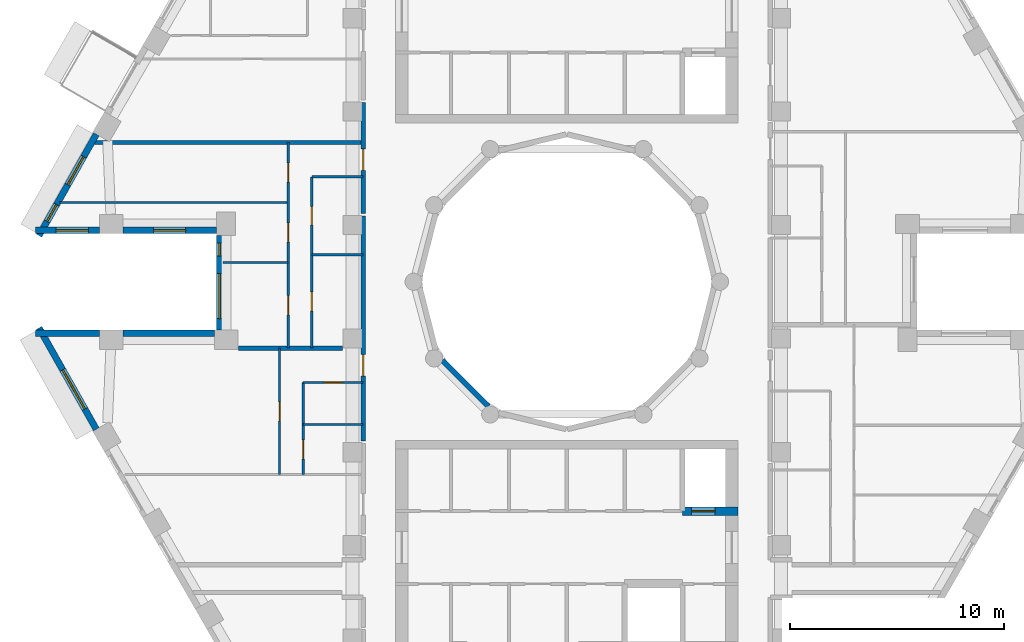
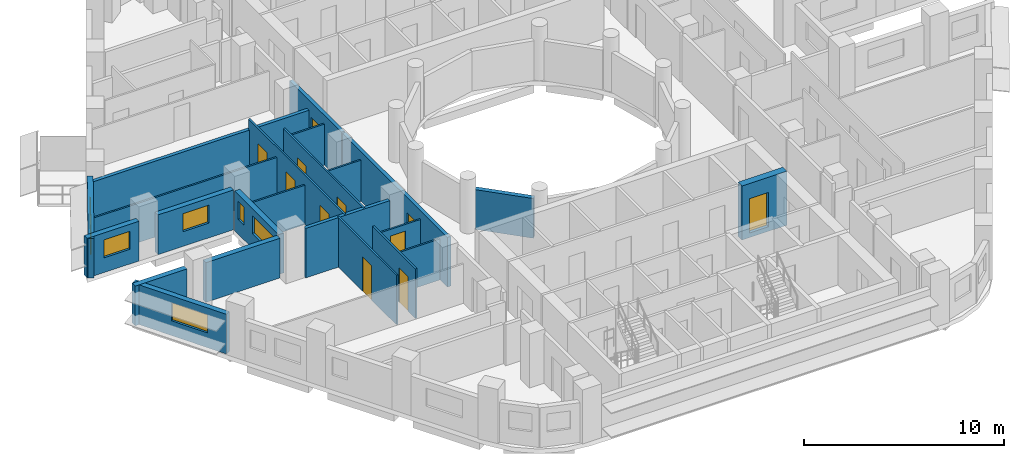
# One storey, part 4 of 13: 23 walls, 11 doors, 7 windows, 18 openings.
"""IFC4 building model written with IfcOpenShell, lengths in metres."""

import ifcopenshell
import ifcopenshell.guid

model = None  # the IFC model being written
_history = None  # IfcOwnerHistory: only IFC2X3 demands one
_inside = {}  # id of a spatial element -> (the spatial element, [elements in it])
_under = {}  # id of a project, library or spatial element -> (it, [spatial elements below it])
_declared = {}  # id of a project -> (the project, [libraries it declares])
_typed = {}  # id of a type object -> (the type object, [elements of that type])
_made_of = {}  # id of a material, layer set ... -> (it, [elements and type objects made of it])


def new_model(schema):
    """Start an empty IFC model of exactly this schema.

    Asked for "IFC4X3", IfcOpenShell would pick the latest addendum, in which some entities
    have other attributes; the version numbers below select the first issue.
    IFC2X3 requires an IfcOwnerHistory on every rooted entity: one is made here for all.
    """
    global model, _history
    if schema == "IFC4X3":
        model = ifcopenshell.file(schema_version=(4, 3, 0, 0))
    else:
        model = ifcopenshell.file(schema=schema)
    _inside.clear()
    _under.clear()
    _declared.clear()
    _typed.clear()
    _made_of.clear()
    _history = None
    if model.schema == "IFC2X3":
        org = make("IfcOrganization", Name="unknown")
        user = make(
            "IfcPersonAndOrganization",
            ThePerson=make("IfcPerson", FamilyName="unknown"),
            TheOrganization=org,
        )
        app = make(
            "IfcApplication",
            ApplicationDeveloper=org,
            Version="unknown",
            ApplicationFullName="unknown",
            ApplicationIdentifier="unknown",
        )
        _history = make(
            "IfcOwnerHistory",
            OwningUser=user,
            OwningApplication=app,
            ChangeAction="ADDED",
            CreationDate=0,
        )
    return model


def make(cls, **values):
    """One entity of the class cls with the attributes given. An attribute that is None is left unset."""
    return model.create_entity(
        cls, **{name: value for name, value in values.items() if value is not None}
    )


def rooted(cls, **values):
    """An entity with a GlobalId (a new one), such as an element, a storey or a relation."""
    return make(cls, GlobalId=ifcopenshell.guid.new(), OwnerHistory=_history, **values)


def si_unit(unit_type, name, prefix=None):
    """IfcSIUnit, for example si_unit("LENGTHUNIT", "METRE", prefix="MILLI")."""
    return make("IfcSIUnit", UnitType=unit_type, Prefix=prefix, Name=name)


def assignment(units):
    """IfcUnitAssignment: the units of a project."""
    return None if units is None else make("IfcUnitAssignment", Units=units)


def point(xyz):
    """IfcCartesianPoint."""
    return None if xyz is None else make("IfcCartesianPoint", Coordinates=xyz)


def direction(xyz):
    """IfcDirection."""
    return None if xyz is None else make("IfcDirection", DirectionRatios=xyz)


def frame(location, z_axis=None, x_axis=None):
    """IfcAxis2Placement3D, a coordinate frame: its origin and axes. An axis left out is left unset."""
    return make(
        "IfcAxis2Placement3D",
        Location=point(location),
        Axis=direction(z_axis),
        RefDirection=direction(x_axis),
    )


def frame_2d(location, x_axis=None):
    """IfcAxis2Placement2D, a coordinate frame in the plane: its origin and x axis."""
    return make(
        "IfcAxis2Placement2D", Location=point(location), RefDirection=direction(x_axis)
    )


def origin():
    """The frame at (0, 0, 0) with its axes left unset."""
    return frame((0.0, 0.0, 0.0))


def place(relative_to, where):
    """IfcLocalPlacement: puts the frame where relative to a parent placement (None: the world)."""
    return make(
        "IfcLocalPlacement", PlacementRelTo=relative_to, RelativePlacement=where
    )


def context(
    kind, dimensions, precision=None, world=None, true_north=None, identifier=None
):
    """IfcGeometricRepresentationContext, for example the 3D "Model" context."""
    return make(
        "IfcGeometricRepresentationContext",
        ContextIdentifier=identifier,
        ContextType=kind,
        CoordinateSpaceDimension=dimensions,
        Precision=precision,
        WorldCoordinateSystem=world,
        TrueNorth=true_north,
    )


def subcontext(parent, identifier, kind, view, scale=None):
    """IfcGeometricRepresentationSubContext, for example "Body" below "Model"."""
    return make(
        "IfcGeometricRepresentationSubContext",
        ContextIdentifier=identifier,
        ContextType=kind,
        ParentContext=parent,
        TargetScale=scale,
        TargetView=view,
    )


def project(units=None, contexts=None):
    """IfcProject with its units and contexts."""
    return rooted(
        "IfcProject",
        Name="project",
        RepresentationContexts=contexts,
        UnitsInContext=assignment(units),
    )


def spatial(cls, under=None, at=None, **own):
    """A site, building, storey or space (cls), placed at a placement, below another one or the project."""
    s = rooted(cls, ObjectPlacement=at, **own)
    if under is not None:
        _under.setdefault(under.id(), (under, []))[1].append(s)
    return s


def profile(cls, at=None, kind="AREA", **sizes):
    """A parametric profile (cls). Its sizes go by their IFC names, for example OverallWidth=200.0."""
    return make(cls, ProfileType=kind, Position=at, **sizes)


def rectangle(**sizes):
    """IfcRectangleProfileDef."""
    return profile("IfcRectangleProfileDef", **sizes)


def extrude(swept, where, along, depth):
    """IfcExtrudedAreaSolid: the profile swept, set in the frame where, extruded along a direction by depth."""
    return make(
        "IfcExtrudedAreaSolid",
        SweptArea=swept,
        Position=where,
        ExtrudedDirection=direction(along),
        Depth=depth,
    )


def shape(context_of_items, identifier, shape_type, items):
    """IfcShapeRepresentation: the items that make up one representation, for example the "Body"."""
    return make(
        "IfcShapeRepresentation",
        ContextOfItems=context_of_items,
        RepresentationIdentifier=identifier,
        RepresentationType=shape_type,
        Items=items,
    )


def material(Name=None, Category=None):
    """IfcMaterial."""
    return make("IfcMaterial", Name=Name, Category=Category)


def layer(
    of_material, thickness, ventilated=None, Name=None, Category=None, Priority=None
):
    """IfcMaterialLayer: one layer of a wall or slab, of a material (None: an air gap)."""
    return make(
        "IfcMaterialLayer",
        Material=of_material,
        LayerThickness=thickness,
        IsVentilated=ventilated,
        Name=Name,
        Category=Category,
        Priority=Priority,
    )


def layer_set(layers, Name=None):
    """IfcMaterialLayerSet."""
    return make("IfcMaterialLayerSet", MaterialLayers=layers, LayerSetName=Name)


def made_of(thing, what):
    """Note that an element or type object is made of a material, layer set ...; save() writes the relation."""
    if what is not None:
        _made_of.setdefault(what.id(), (what, []))[1].append(thing)
    return thing


def type_object(cls, material=None, **own):
    """A type object (cls), such as IfcWallType, which elements share."""
    return made_of(rooted(cls, **own), material)


def element(
    cls,
    number,
    at=None,
    inside=None,
    cuts=None,
    type_object=None,
    material=None,
    context=None,
    identifier="Body",
    shape_type=None,
    held_by="IfcProductDefinitionShape",
    body=None,
    shapes=None,
    **own,
):
    """One element of the class cls, such as IfcWall. Its Tag is "e" and its number.

    at: its placement. inside: the storey or other place that contains it. cuts: it is an
    opening in that element (IfcRelVoidsElement). A single representation is given by context,
    identifier, shape_type and body (its items); several are given by shapes. held_by: the class
    of the entity that holds the representations. save() writes the other relations.
    """
    e = rooted(cls, Tag="e%d" % number, ObjectPlacement=at, **own)
    if body is not None:
        shapes = [shape(context, identifier, shape_type, body)]
    if shapes is not None:
        e.Representation = make(held_by, Representations=shapes)
    if inside is not None:
        _inside.setdefault(inside.id(), (inside, []))[1].append(e)
    if cuts is not None:
        rooted(
            "IfcRelVoidsElement", RelatingBuildingElement=cuts, RelatedOpeningElement=e
        )
    if type_object is not None:
        _typed.setdefault(type_object.id(), (type_object, []))[1].append(e)
    return made_of(e, material)


def fill(opening, filler):
    """IfcRelFillsElement: the door or window that sits in an opening."""
    return rooted(
        "IfcRelFillsElement",
        RelatingOpeningElement=opening,
        RelatedBuildingElement=filler,
    )


def aggregate(whole, parts):
    """IfcRelAggregates: a whole, such as a stair, and the parts it consists of."""
    return rooted("IfcRelAggregates", RelatingObject=whole, RelatedObjects=parts)


def save(model, path):
    """Write the relations noted so far, then the file.

    IfcRelAggregates (storeys below a building ...), IfcRelContainedInSpatialStructure (elements
    in a storey), IfcRelDefinesByType, IfcRelAssociatesMaterial and IfcRelDeclares: one each for
    every whole, place, type object, material and project.
    """
    for whole, parts in _under.values():
        aggregate(whole, parts)
    for where, things in _inside.values():
        rooted(
            "IfcRelContainedInSpatialStructure",
            RelatedElements=things,
            RelatingStructure=where,
        )
    for kind, things in _typed.values():
        rooted("IfcRelDefinesByType", RelatedObjects=things, RelatingType=kind)
    for what, things in _made_of.values():
        rooted("IfcRelAssociatesMaterial", RelatedObjects=things, RelatingMaterial=what)
    for by, libraries in _declared.values():
        rooted("IfcRelDeclares", RelatingContext=by, RelatedDefinitions=libraries)
    model.write(path)


model = new_model("IFC4")

# Units and contexts
model_context = context("Model", 3, precision=1e-05, world=origin(), true_north=direction((0.0, 1.0)))
body_context = subcontext(model_context, "Body", "Model", "MODEL_VIEW")
ifc_project = project(units=[si_unit("LENGTHUNIT", "METRE"), si_unit("AREAUNIT", "SQUARE_METRE"), si_unit("VOLUMEUNIT", "CUBIC_METRE"), si_unit("PLANEANGLEUNIT", "RADIAN"), si_unit("MASSUNIT", "GRAM", prefix="KILO")], contexts=[model_context])

# Site, building, storey
site_placement = place(None, origin())
site = spatial("IfcSite", under=ifc_project, at=site_placement, CompositionType="ELEMENT")
building_placement = place(site_placement, origin())
building = spatial("IfcBuilding", under=site, at=building_placement, Name="Nakaniwa Court", CompositionType="ELEMENT")
storey_placement = place(building_placement, frame((0.0, 0.0, 246.0)))
storey = spatial("IfcBuildingStorey", under=building, at=storey_placement, Name="L64", CompositionType="ELEMENT", Elevation=246.0)

# Wall, opening, door
ifc_material_1 = material(Name="Acoustic double stud partition")
ifc_layer_1 = layer(ifc_material_1, 0.199951171875)
ifc_layer_set_1 = layer_set([ifc_layer_1], Name="Acoustic double stud partition")
wall_type_1 = type_object("IfcWallType", Name="Acoustic double stud partition 200", PredefinedType="PARTITIONING", material=ifc_layer_set_1)
wall_1_placement = place(storey_placement, frame((70.5, 72.576904296875, 0.0), z_axis=(0.0, 0.0, 1.0), x_axis=(0.0, 1.0, 0.0)))
wall_1 = element("IfcWall", 1, at=wall_1_placement, inside=storey, type_object=wall_type_1, Name="Partition PW-094", PredefinedType="PARTITIONING", context=body_context, shape_type="SweptSolid", body=[
    extrude(rectangle(XDim=10.486083984375, YDim=0.199951171875, at=frame_2d((5.2431640625, 0.0))), origin(), (0.0, 0.0, 1.0), 3.02490234375),
])
opening_1_placement = place(wall_1_placement, frame((3.02294921875, 0.0, 0.0)))
opening_1 = element("IfcOpeningElement", 2, at=opening_1_placement, cuts=wall_1, Name="Opening D-01-03", PredefinedType="OPENING", context=body_context, shape_type="SweptSolid", body=[
    extrude(rectangle(XDim=1.0, YDim=2.10009765625, at=frame_2d((0.5, 1.050048828125))), frame((0.0, 0.10986328125, 0.0), z_axis=(0.0, -1.0, 0.0), x_axis=(1.0, 0.0, 0.0)), (0.0, 0.0, 1.0), 0.219970703125),
])
ifc_material_2 = material(Name="Solid core timber door set, black veneer", Category="wood")
door_type_1 = type_object("IfcDoorType", Name="Flat entrance door 1000", OperationType="NOTDEFINED", PredefinedType="DOOR", material=ifc_material_2)
door_1_placement = place(opening_1_placement, origin())
door_1 = element("IfcDoor", 3, at=door_1_placement, inside=storey, type_object=door_type_1, Name="Door D-01-03 L64-045", OperationType="SINGLE_SWING_RIGHT", OverallHeight=2.10009765625, OverallWidth=1.0, PredefinedType="DOOR", context=body_context, shape_type="SweptSolid", body=[
    extrude(rectangle(XDim=1.0, YDim=2.10009765625, at=frame_2d((0.5, 1.050048828125))), frame((0.0, 0.02490234375, 0.0), z_axis=(0.0, -1.0, 0.0), x_axis=(1.0, 0.0, 0.0)), (0.0, 0.0, 1.0), 0.050048828125),
])
fill(opening_1, door_1)

wall_2_placement = place(storey_placement, frame((70.5, 83.177001953125, 0.0), z_axis=(0.0, 0.0, 1.0), x_axis=(0.0, 1.0, 0.0)))
wall_2 = element("IfcWall", 4, at=wall_2_placement, inside=storey, type_object=wall_type_1, Name="Partition PW-095", PredefinedType="PARTITIONING", context=body_context, shape_type="SweptSolid", body=[
    extrude(rectangle(XDim=5.18603515625, YDim=0.199951171875, at=frame_2d((2.593017578125, 0.0))), origin(), (0.0, 0.0, 1.0), 3.02490234375),
])
opening_2_placement = place(wall_2_placement, frame((2.02294921875, 0.0, 0.0)))
opening_2 = element("IfcOpeningElement", 5, at=opening_2_placement, cuts=wall_2, Name="Opening D-01-04", PredefinedType="OPENING", context=body_context, shape_type="SweptSolid", body=[
    extrude(rectangle(XDim=1.0, YDim=2.10009765625, at=frame_2d((0.5, 1.050048828125))), frame((0.0, 0.10986328125, 0.0), z_axis=(0.0, -1.0, 0.0), x_axis=(1.0, 0.0, 0.0)), (0.0, 0.0, 1.0), 0.219970703125),
])
door_2_placement = place(opening_2_placement, origin())
door_2 = element("IfcDoor", 6, at=door_2_placement, inside=storey, type_object=door_type_1, Name="Door D-01-04 L64-049", OperationType="SINGLE_SWING_RIGHT", OverallHeight=2.10009765625, OverallWidth=1.0, PredefinedType="DOOR", context=body_context, shape_type="SweptSolid", body=[
    extrude(rectangle(XDim=1.0, YDim=2.10009765625, at=frame_2d((0.5, 1.050048828125))), frame((0.0, 0.02490234375, 0.0), z_axis=(0.0, -1.0, 0.0), x_axis=(1.0, 0.0, 0.0)), (0.0, 0.0, 1.0), 0.050048828125),
])
fill(opening_2, door_2)

# Walls
wall_3_placement = place(storey_placement, frame((64.67041015625, 76.89990234375, 0.0), z_axis=(0.0, 0.0, 1.0), x_axis=(1.0, 0.0, 0.0)))
element("IfcWall", 7, at=wall_3_placement, inside=storey, type_object=wall_type_1, Name="Partition PW-118", PredefinedType="PARTITIONING", context=body_context, shape_type="SweptSolid", body=[
    extrude(rectangle(XDim=4.859619140625, YDim=0.199951171875, at=frame_2d((2.4296875, 0.0))), origin(), (0.0, 0.0, 1.0), 3.02490234375),
])
wall_4_placement = place(storey_placement, frame((57.9453125, 86.5, 0.0), z_axis=(0.0, 0.0, 1.0), x_axis=(1.0, 0.0, 0.0)))
element("IfcWall", 8, at=wall_4_placement, inside=storey, type_object=wall_type_1, Name="Partition PW-123", PredefinedType="PARTITIONING", context=body_context, shape_type="SweptSolid", body=[
    extrude(rectangle(XDim=12.5546875, YDim=0.199951171875, at=frame_2d((6.27734375, 0.0))), origin(), (0.0, 0.0, 1.0), 2.405029296875),
])

# Wall, openings, windows
ifc_material_3 = material(Name="Charcoal ceramic cladding")
ifc_layer_2 = layer(ifc_material_3, 0.02, Name="Ceramic cladding")
ifc_material_4 = material(Name="Ventilated air cavity")
ifc_layer_3 = layer(ifc_material_4, 0.04, ventilated=True, Name="Ventilated cavity")
ifc_material_5 = material(Name="Mineral wool insulation")
ifc_layer_4 = layer(ifc_material_5, 0.1, Name="Insulation")
ifc_material_6 = material(Name="Cement bonded sheathing board")
ifc_layer_5 = layer(ifc_material_6, 0.012, Name="Sheathing")
ifc_material_7 = material(Name="Cold-formed galvanised stud frame with mineral wool infill")
ifc_layer_6 = layer(ifc_material_7, 0.1, Name="Stud frame")
ifc_material_8 = material(Name="Fire-rated gypsum plasterboard lining")
ifc_layer_7 = layer(ifc_material_8, 0.028, Name="Lining")
ifc_layer_set_2 = layer_set([ifc_layer_2, ifc_layer_3, ifc_layer_4, ifc_layer_5, ifc_layer_6, ifc_layer_7], Name="Charcoal ceramic faced external wall system")
wall_type_2 = type_object("IfcWallType", Name="Black ceramic faced external wall 300", PredefinedType="SOLIDWALL", material=ifc_layer_set_2)
wall_5_placement = place(storey_placement, frame((58.048095703125, 86.886474609375, 0.0), z_axis=(0.0, 0.0, 1.0), x_axis=(-0.492080931903, -0.870549456641, 0.0)))
wall_5 = element("IfcWall", 9, at=wall_5_placement, inside=storey, type_object=wall_type_2, Name="L64 external wall 14", PredefinedType="SOLIDWALL", context=body_context, shape_type="SweptSolid", body=[
    extrude(rectangle(XDim=5.436767578125, YDim=0.300048828125, at=frame_2d((2.71826171875, 0.0))), origin(), (0.0, 0.0, 1.0), 2.425048828125),
])
opening_3_placement = place(wall_5_placement, frame((1.2060546875, 0.0, 0.89990234375)))
opening_3 = element("IfcOpeningElement", 10, at=opening_3_placement, cuts=wall_5, Name="Opening W5.13", PredefinedType="OPENING", context=body_context, shape_type="SweptSolid", body=[
    extrude(rectangle(XDim=1.5, YDim=1.10009765625, at=frame_2d((0.75, 0.550048828125))), frame((0.0, 0.159912109375, 0.0), z_axis=(0.0, -1.0, 0.0), x_axis=(1.0, 0.0, 0.0)), (0.0, 0.0, 1.0), 0.320068359375),
])
opening_4_placement = place(wall_5_placement, frame((3.774658203125, 0.0, 0.89990234375)))
opening_4 = element("IfcOpeningElement", 11, at=opening_4_placement, cuts=wall_5, Name="Opening W9.14", PredefinedType="OPENING", context=body_context, shape_type="SweptSolid", body=[
    extrude(rectangle(XDim=0.89990234375, YDim=1.10009765625, at=frame_2d((0.449951171875, 0.550048828125))), frame((0.0, 0.159912109375, 0.0), z_axis=(0.0, -1.0, 0.0), x_axis=(1.0, 0.0, 0.0)), (0.0, 0.0, 1.0), 0.320068359375),
])
ifc_material_9 = material(Name="Black anodised aluminium frame with dark low-E laminated double glazing", Category="aluminium")
window_type_1 = type_object("IfcWindowType", Name="Dark glass window 1500x1100 sill 900", PartitioningType="SINGLE_PANEL", PredefinedType="WINDOW", material=ifc_material_9)
window_1_placement = place(opening_3_placement, origin())
window_1 = element("IfcWindow", 12, at=window_1_placement, inside=storey, type_object=window_type_1, Name="L64 bedroom window 14-1", OverallHeight=1.10009765625, OverallWidth=1.5, PartitioningType="SINGLE_PANEL", PredefinedType="WINDOW", context=body_context, shape_type="SweptSolid", body=[
    extrude(rectangle(XDim=1.5, YDim=1.10009765625, at=frame_2d((0.75, 0.550048828125))), frame((0.0, 0.030029296875, 0.0), z_axis=(0.0, -1.0, 0.0), x_axis=(1.0, 0.0, 0.0)), (0.0, 0.0, 1.0), 0.06005859375),
])
fill(opening_3, window_1)
window_type_2 = type_object("IfcWindowType", Name="Dark glass window 900x1100 sill 900", PartitioningType="SINGLE_PANEL", PredefinedType="WINDOW", material=ifc_material_9)
window_2_placement = place(opening_4_placement, origin())
window_2 = element("IfcWindow", 13, at=window_2_placement, inside=storey, type_object=window_type_2, Name="L64 bedroom window 14-2", OverallHeight=1.10009765625, OverallWidth=0.89990234375, PartitioningType="SINGLE_PANEL", PredefinedType="WINDOW", context=body_context, shape_type="SweptSolid", body=[
    extrude(rectangle(XDim=0.89990234375, YDim=1.10009765625, at=frame_2d((0.449951171875, 0.550048828125))), frame((0.0, 0.030029296875, 0.0), z_axis=(0.0, -1.0, 0.0), x_axis=(1.0, 0.0, 0.0)), (0.0, 0.0, 1.0), 0.06005859375),
])
fill(opening_4, window_2)

# Wall, opening, window
wall_6_placement = place(storey_placement, frame((55.2021484375, 82.39990234375, 0.0), z_axis=(0.0, 0.0, 1.0), x_axis=(1.0, 0.0, 0.0)))
wall_6 = element("IfcWall", 14, at=wall_6_placement, inside=storey, type_object=wall_type_2, Name="L64 external wall 15", PredefinedType="SOLIDWALL", context=body_context, shape_type="SweptSolid", body=[
    extrude(rectangle(XDim=2.98779296875, YDim=0.300048828125, at=frame_2d((1.493896484375, 0.0))), origin(), (0.0, 0.0, 1.0), 2.425048828125),
])
opening_5_placement = place(wall_6_placement, frame((0.968994140625, 0.0, 0.89990234375)))
opening_5 = element("IfcOpeningElement", 15, at=opening_5_placement, cuts=wall_6, Name="Opening W5.15", PredefinedType="OPENING", context=body_context, shape_type="SweptSolid", body=[
    extrude(rectangle(XDim=1.5, YDim=1.10009765625, at=frame_2d((0.75, 0.550048828125))), frame((0.0, 0.159912109375, 0.0), z_axis=(0.0, -1.0, 0.0), x_axis=(1.0, 0.0, 0.0)), (0.0, 0.0, 1.0), 0.320068359375),
])
window_3_placement = place(opening_5_placement, origin())
window_3 = element("IfcWindow", 16, at=window_3_placement, inside=storey, type_object=window_type_1, Name="L64 bedroom window 15-0", OverallHeight=1.10009765625, OverallWidth=1.5, PartitioningType="SINGLE_PANEL", PredefinedType="WINDOW", context=body_context, shape_type="SweptSolid", body=[
    extrude(rectangle(XDim=1.5, YDim=1.10009765625, at=frame_2d((0.75, 0.550048828125))), frame((0.0, 0.030029296875, 0.0), z_axis=(0.0, -1.0, 0.0), x_axis=(1.0, 0.0, 0.0)), (0.0, 0.0, 1.0), 0.06005859375),
])
fill(opening_5, window_3)

wall_7_placement = place(storey_placement, frame((59.281982421875, 82.39990234375, 0.0), z_axis=(0.0, 0.0, 1.0), x_axis=(1.0, 0.0, 0.0)))
wall_7 = element("IfcWall", 17, at=wall_7_placement, inside=storey, type_object=wall_type_2, Name="L64 external wall 16", PredefinedType="SOLIDWALL", context=body_context, shape_type="SweptSolid", body=[
    extrude(rectangle(XDim=4.37255859375, YDim=0.300048828125, at=frame_2d((2.186279296875, 0.0))), origin(), (0.0, 0.0, 1.0), 2.425048828125),
])
opening_6_placement = place(wall_7_placement, frame((1.436279296875, 0.0, 0.89990234375)))
opening_6 = element("IfcOpeningElement", 18, at=opening_6_placement, cuts=wall_7, Name="Opening W5.16", PredefinedType="OPENING", context=body_context, shape_type="SweptSolid", body=[
    extrude(rectangle(XDim=1.5, YDim=1.10009765625, at=frame_2d((0.75, 0.550048828125))), frame((0.0, 0.159912109375, 0.0), z_axis=(0.0, -1.0, 0.0), x_axis=(1.0, 0.0, 0.0)), (0.0, 0.0, 1.0), 0.320068359375),
])
window_4_placement = place(opening_6_placement, origin())
window_4 = element("IfcWindow", 19, at=window_4_placement, inside=storey, type_object=window_type_1, Name="L64 bedroom window 16-0", OverallHeight=1.10009765625, OverallWidth=1.5, PartitioningType="SINGLE_PANEL", PredefinedType="WINDOW", context=body_context, shape_type="SweptSolid", body=[
    extrude(rectangle(XDim=1.5, YDim=1.10009765625, at=frame_2d((0.75, 0.550048828125))), frame((0.0, 0.030029296875, 0.0), z_axis=(0.0, -1.0, 0.0), x_axis=(1.0, 0.0, 0.0)), (0.0, 0.0, 1.0), 0.06005859375),
])
fill(opening_6, window_4)

# Wall, openings, windows
wall_8_placement = place(storey_placement, frame((63.800537109375, 82.154052734375, 0.0), z_axis=(0.0, 0.0, 1.0), x_axis=(0.0, -1.0, 0.0)))
wall_8 = element("IfcWall", 20, at=wall_8_placement, inside=storey, type_object=wall_type_2, Name="L64 external wall 17", PredefinedType="SOLIDWALL", context=body_context, shape_type="SweptSolid", body=[
    extrude(rectangle(XDim=4.407958984375, YDim=0.300048828125, at=frame_2d((2.2041015625, 0.0))), origin(), (0.0, 0.0, 1.0), 2.425048828125),
])
opening_7_placement = place(wall_8_placement, frame((0.35205078125, 0.0, 0.89990234375)))
opening_7 = element("IfcOpeningElement", 21, at=opening_7_placement, cuts=wall_8, Name="Opening W8.17", PredefinedType="OPENING", context=body_context, shape_type="SweptSolid", body=[
    extrude(rectangle(XDim=0.60009765625, YDim=1.10009765625, at=frame_2d((0.300048828125, 0.550048828125))), frame((0.0, 0.159912109375, 0.0), z_axis=(0.0, -1.0, 0.0), x_axis=(1.0, 0.0, 0.0)), (0.0, 0.0, 1.0), 0.320068359375),
])
opening_8_placement = place(wall_8_placement, frame((1.76904296875, 0.0, 0.89990234375)))
opening_8 = element("IfcOpeningElement", 22, at=opening_8_placement, cuts=wall_8, Name="Opening W7.18", PredefinedType="OPENING", context=body_context, shape_type="SweptSolid", body=[
    extrude(rectangle(XDim=2.10009765625, YDim=1.10009765625, at=frame_2d((1.050048828125, 0.550048828125))), frame((0.0, 0.159912109375, 0.0), z_axis=(0.0, -1.0, 0.0), x_axis=(1.0, 0.0, 0.0)), (0.0, 0.0, 1.0), 0.320068359375),
])
window_type_3 = type_object("IfcWindowType", Name="Dark glass window 2100x1100 sill 900", PartitioningType="SINGLE_PANEL", PredefinedType="WINDOW", material=ifc_material_9)
window_5_placement = place(opening_8_placement, origin())
window_5 = element("IfcWindow", 23, at=window_5_placement, inside=storey, type_object=window_type_3, Name="L64 living window 17-1", OverallHeight=1.10009765625, OverallWidth=2.10009765625, PartitioningType="SINGLE_PANEL", PredefinedType="WINDOW", context=body_context, shape_type="SweptSolid", body=[
    extrude(rectangle(XDim=2.10009765625, YDim=1.10009765625, at=frame_2d((1.050048828125, 0.550048828125))), frame((0.0, 0.030029296875, 0.0), z_axis=(0.0, -1.0, 0.0), x_axis=(1.0, 0.0, 0.0)), (0.0, 0.0, 1.0), 0.06005859375),
])
fill(opening_8, window_5)
window_type_4 = type_object("IfcWindowType", Name="Dark glass window 600x1100 sill 900", PartitioningType="SINGLE_PANEL", PredefinedType="WINDOW", material=ifc_material_9)
window_6_placement = place(opening_7_placement, origin())
window_6 = element("IfcWindow", 24, at=window_6_placement, inside=storey, type_object=window_type_4, Name="L64 bedroom window 17-0", OverallHeight=1.10009765625, OverallWidth=0.60009765625, PartitioningType="SINGLE_PANEL", PredefinedType="WINDOW", context=body_context, shape_type="SweptSolid", body=[
    extrude(rectangle(XDim=0.60009765625, YDim=1.10009765625, at=frame_2d((0.300048828125, 0.550048828125))), frame((0.0, 0.030029296875, 0.0), z_axis=(0.0, -1.0, 0.0), x_axis=(1.0, 0.0, 0.0)), (0.0, 0.0, 1.0), 0.06005859375),
])
fill(opening_7, window_6)

# Walls
wall_9_placement = place(storey_placement, frame((63.554443359375, 77.60009765625, 0.0), z_axis=(0.0, 0.0, 1.0), x_axis=(-1.0, 0.0, 0.0)))
element("IfcWall", 25, at=wall_9_placement, inside=storey, type_object=wall_type_2, Name="L64 external wall 18", PredefinedType="SOLIDWALL", context=body_context, shape_type="SweptSolid", body=[
    extrude(rectangle(XDim=4.2724609375, YDim=0.300048828125, at=frame_2d((2.13623046875, 0.0))), origin(), (0.0, 0.0, 1.0), 2.425048828125),
])
wall_10_placement = place(storey_placement, frame((58.18994140625, 77.60009765625, 0.0), z_axis=(0.0, 0.0, 1.0), x_axis=(-1.0, 0.0, 0.0)))
element("IfcWall", 26, at=wall_10_placement, inside=storey, type_object=wall_type_2, Name="L64 external wall 19", PredefinedType="SOLIDWALL", context=body_context, shape_type="SweptSolid", body=[
    extrude(rectangle(XDim=2.98779296875, YDim=0.300048828125, at=frame_2d((1.493896484375, 0.0))), origin(), (0.0, 0.0, 1.0), 2.425048828125),
])

# Wall, opening, window
wall_11_placement = place(storey_placement, frame((55.372802734375, 77.846435546875, 0.0), z_axis=(0.0, 0.0, 1.0), x_axis=(0.492080931903, -0.870549456641, 0.0)))
wall_11 = element("IfcWall", 27, at=wall_11_placement, inside=storey, type_object=wall_type_2, Name="L64 external wall 20", PredefinedType="SOLIDWALL", context=body_context, shape_type="SweptSolid", body=[
    extrude(rectangle(XDim=5.436767578125, YDim=0.300048828125, at=frame_2d((2.71826171875, 0.0))), origin(), (0.0, 0.0, 1.0), 2.425048828125),
])
opening_9_placement = place(wall_11_placement, frame((2.247314453125, 0.0, 0.89990234375)))
opening_9 = element("IfcOpeningElement", 28, at=opening_9_placement, cuts=wall_11, Name="Opening W7.19", PredefinedType="OPENING", context=body_context, shape_type="SweptSolid", body=[
    extrude(rectangle(XDim=2.10009765625, YDim=1.10009765625, at=frame_2d((1.050048828125, 0.550048828125))), frame((0.0, 0.159912109375, 0.0), z_axis=(0.0, -1.0, 0.0), x_axis=(1.0, 0.0, 0.0)), (0.0, 0.0, 1.0), 0.320068359375),
])
window_7_placement = place(opening_9_placement, origin())
window_7 = element("IfcWindow", 29, at=window_7_placement, inside=storey, type_object=window_type_3, Name="L64 living window 20-0", OverallHeight=1.10009765625, OverallWidth=2.10009765625, PartitioningType="SINGLE_PANEL", PredefinedType="WINDOW", context=body_context, shape_type="SweptSolid", body=[
    extrude(rectangle(XDim=2.10009765625, YDim=1.10009765625, at=frame_2d((1.050048828125, 0.550048828125))), frame((0.0, 0.030029296875, 0.0), z_axis=(0.0, -1.0, 0.0), x_axis=(1.0, 0.0, 0.0)), (0.0, 0.0, 1.0), 0.06005859375),
])
fill(opening_9, window_7)

# Wall
ifc_layer_8 = layer(ifc_material_3, 0.02, Name="Ceramic cladding")
ifc_layer_9 = layer(ifc_material_4, 0.04, ventilated=True, Name="Ventilated cavity")
ifc_layer_10 = layer(ifc_material_5, 0.075, Name="Insulation")
ifc_layer_11 = layer(ifc_material_6, 0.012, Name="Sheathing")
ifc_layer_12 = layer(ifc_material_7, 0.075, Name="Stud frame")
ifc_layer_13 = layer(ifc_material_8, 0.028, Name="Lining")
ifc_layer_set_3 = layer_set([ifc_layer_8, ifc_layer_9, ifc_layer_10, ifc_layer_11, ifc_layer_12, ifc_layer_13], Name="Charcoal ceramic faced external wall system")
wall_type_3 = type_object("IfcWallType", Name="Charcoal ceramic faced well wall 250", PredefinedType="SOLIDWALL", material=ifc_layer_set_3)
wall_12_placement = place(storey_placement, frame((76.339111328125, 74.1943359375, 0.0), z_axis=(0.0, 0.0, 1.0), x_axis=(-0.707106781187, 0.707106781187, 0.0)))
element("IfcWall", 30, at=wall_12_placement, inside=storey, type_object=wall_type_3, Name="L64 external wall 40", PredefinedType="SOLIDWALL", context=body_context, shape_type="SweptSolid", body=[
    extrude(rectangle(XDim=3.033203125, YDim=0.25, at=frame_2d((1.5166015625, 0.0))), origin(), (0.0, 0.0, 1.0), 2.425048828125),
])

# Wall, opening, door
ifc_material_10 = material(Name="Concrete C80/100", Category="concrete")
ifc_layer_14 = layer(ifc_material_10, 0.39990234375)
ifc_layer_set_4 = layer_set([ifc_layer_14], Name="Concrete C80/100")
wall_type_4 = type_object("IfcWallType", Name="Concrete core spine wall 400 C80", PredefinedType="SHEAR", material=ifc_layer_set_4)
wall_13_placement = place(storey_placement, frame((85.39990234375, 69.300048828125, -0.27490234375), z_axis=(0.0, 0.0, 1.0), x_axis=(1.0, 0.0, 0.0)))
wall_13 = element("IfcWall", 31, at=wall_13_placement, inside=storey, type_object=wall_type_4, Name="Core wall SW-37", PredefinedType="SHEAR", context=body_context, shape_type="SweptSolid", body=[
    extrude(rectangle(XDim=2.60009765625, YDim=0.39990234375, at=frame_2d((1.300048828125, 0.0))), origin(), (0.0, 0.0, 1.0), 3.2998046875),
])
opening_10_placement = place(wall_13_placement, frame((0.425048828125, 0.0, 0.27490234375)))
opening_10 = element("IfcOpeningElement", 32, at=opening_10_placement, cuts=wall_13, Name="Opening LD03", PredefinedType="OPENING", context=body_context, shape_type="SweptSolid", body=[
    extrude(rectangle(XDim=1.10009765625, YDim=2.10009765625, at=frame_2d((0.550048828125, 1.050048828125))), frame((0.0, 0.2099609375, 0.0), z_axis=(0.0, -1.0, 0.0), x_axis=(1.0, 0.0, 0.0)), (0.0, 0.0, 1.0), 0.419921875),
])
ifc_material_11 = material(Name="Stainless steel sliding lift landing door", Category="steel")
door_type_2 = type_object("IfcDoorType", Name="Lift landing door 1100", OperationType="NOTDEFINED", PredefinedType="DOOR", material=ifc_material_11)
door_3_placement = place(opening_10_placement, origin())
door_3 = element("IfcDoor", 33, at=door_3_placement, inside=storey, type_object=door_type_2, Name="Lift landing door LD03 L64-003", OperationType="SLIDING_TO_LEFT", OverallHeight=2.10009765625, OverallWidth=1.10009765625, PredefinedType="DOOR", context=body_context, shape_type="SweptSolid", body=[
    extrude(rectangle(XDim=1.10009765625, YDim=2.10009765625, at=frame_2d((0.550048828125, 1.050048828125))), frame((0.0, 0.02490234375, 0.0), z_axis=(0.0, -1.0, 0.0), x_axis=(1.0, 0.0, 0.0)), (0.0, 0.0, 1.0), 0.050048828125),
])
fill(opening_10, door_3)

# Wall
ifc_material_12 = material(Name="Single stud plasterboard partition")
ifc_layer_15 = layer(ifc_material_12, 0.10009765625)
ifc_layer_set_5 = layer_set([ifc_layer_15], Name="Single stud plasterboard partition")
wall_type_5 = type_object("IfcWallType", Name="Single stud plasterboard partition 100", PredefinedType="PARTITIONING", material=ifc_layer_set_5)
wall_14_placement = place(storey_placement, frame((67.699951171875, 73.345947265625, 0.0), z_axis=(0.0, 0.0, 1.0), x_axis=(1.0, 0.0, 0.0)))
element("IfcWall", 34, at=wall_14_placement, inside=storey, type_object=wall_type_5, Name="Partition PW-113", PredefinedType="PARTITIONING", context=body_context, shape_type="SweptSolid", body=[
    extrude(rectangle(XDim=2.800048828125, YDim=0.10009765625, at=frame_2d((1.39990234375, 0.0))), origin(), (0.0, 0.0, 1.0), 2.5048828125),
])

# Wall, opening, door
wall_15_placement = place(storey_placement, frame((67.699951171875, 75.300048828125, 0.0), z_axis=(0.0, 0.0, 1.0), x_axis=(0.0, -1.0, 0.0)))
wall_15 = element("IfcWall", 35, at=wall_15_placement, inside=storey, type_object=wall_type_5, Name="Partition PW-114", PredefinedType="PARTITIONING", context=body_context, shape_type="SweptSolid", body=[
    extrude(rectangle(XDim=4.300048828125, YDim=0.10009765625, at=frame_2d((2.14990234375, 0.0))), origin(), (0.0, 0.0, 1.0), 3.02490234375),
])
opening_11_placement = place(wall_15_placement, frame((2.677001953125, 0.0, 0.0)))
opening_11 = element("IfcOpeningElement", 36, at=opening_11_placement, cuts=wall_15, Name="Opening D-33-07", PredefinedType="OPENING", context=body_context, shape_type="SweptSolid", body=[
    extrude(rectangle(XDim=0.89990234375, YDim=2.10009765625, at=frame_2d((0.449951171875, 1.050048828125))), frame((0.0, 0.06005859375, 0.0), z_axis=(0.0, -1.0, 0.0), x_axis=(1.0, 0.0, 0.0)), (0.0, 0.0, 1.0), 0.1201171875),
])
door_type_3 = type_object("IfcDoorType", Name="Internal door 900", OperationType="NOTDEFINED", PredefinedType="DOOR", material=ifc_material_2)
door_4_placement = place(opening_11_placement, origin())
door_4 = element("IfcDoor", 37, at=door_4_placement, inside=storey, type_object=door_type_3, Name="Door D-33-07 L64-046", OperationType="SINGLE_SWING_LEFT", OverallHeight=2.10009765625, OverallWidth=0.89990234375, PredefinedType="DOOR", context=body_context, shape_type="SweptSolid", body=[
    extrude(rectangle(XDim=0.89990234375, YDim=2.10009765625, at=frame_2d((0.449951171875, 1.050048828125))), frame((0.0, 0.02490234375, 0.0), z_axis=(0.0, -1.0, 0.0), x_axis=(1.0, 0.0, 0.0)), (0.0, 0.0, 1.0), 0.050048828125),
])
fill(opening_11, door_4)

wall_16_placement = place(storey_placement, frame((70.5, 75.300048828125, 0.0), z_axis=(0.0, 0.0, 1.0), x_axis=(-1.0, 0.0, 0.0)))
wall_16 = element("IfcWall", 38, at=wall_16_placement, inside=storey, type_object=wall_type_5, Name="Partition PW-116", PredefinedType="PARTITIONING", context=body_context, shape_type="SweptSolid", body=[
    extrude(rectangle(XDim=2.800048828125, YDim=0.10009765625, at=frame_2d((1.39990234375, 0.0))), origin(), (0.0, 0.0, 1.0), 2.5048828125),
])
opening_12_placement = place(wall_16_placement, frame((0.97509765625, 0.0, 0.0)))
opening_12 = element("IfcOpeningElement", 39, at=opening_12_placement, cuts=wall_16, Name="Opening D-03-03", PredefinedType="OPENING", context=body_context, shape_type="SweptSolid", body=[
    extrude(rectangle(XDim=0.85009765625, YDim=2.10009765625, at=frame_2d((0.425048828125, 1.050048828125))), frame((0.0, 0.06005859375, 0.0), z_axis=(0.0, -1.0, 0.0), x_axis=(1.0, 0.0, 0.0)), (0.0, 0.0, 1.0), 0.1201171875),
])
ifc_material_13 = material(Name="Moisture sealed timber door set", Category="wood")
door_type_4 = type_object("IfcDoorType", Name="Bathroom door 850", OperationType="NOTDEFINED", PredefinedType="DOOR", material=ifc_material_13)
door_5_placement = place(opening_12_placement, origin())
door_5 = element("IfcDoor", 40, at=door_5_placement, inside=storey, type_object=door_type_4, Name="Door D-03-03 L64-047", OperationType="SINGLE_SWING_RIGHT", OverallHeight=2.10009765625, OverallWidth=0.85009765625, PredefinedType="DOOR", context=body_context, shape_type="SweptSolid", body=[
    extrude(rectangle(XDim=0.85009765625, YDim=2.10009765625, at=frame_2d((0.425048828125, 1.050048828125))), frame((0.0, 0.02490234375, 0.0), z_axis=(0.0, -1.0, 0.0), x_axis=(1.0, 0.0, 0.0)), (0.0, 0.0, 1.0), 0.050048828125),
])
fill(opening_12, door_5)

wall_17_placement = place(storey_placement, frame((66.60009765625, 71.0, 0.0), z_axis=(0.0, 0.0, 1.0), x_axis=(0.0, 1.0, 0.0)))
wall_17 = element("IfcWall", 41, at=wall_17_placement, inside=storey, type_object=wall_type_5, Name="Partition PW-117", PredefinedType="PARTITIONING", context=body_context, shape_type="SweptSolid", body=[
    extrude(rectangle(XDim=5.89990234375, YDim=0.10009765625, at=frame_2d((2.949951171875, 0.0))), origin(), (0.0, 0.0, 1.0), 3.02490234375),
])
opening_13_placement = place(wall_17_placement, frame((2.5, 0.0, 0.0)))
opening_13 = element("IfcOpeningElement", 42, at=opening_13_placement, cuts=wall_17, Name="Opening D-33-08", PredefinedType="OPENING", context=body_context, shape_type="SweptSolid", body=[
    extrude(rectangle(XDim=0.89990234375, YDim=2.10009765625, at=frame_2d((0.449951171875, 1.050048828125))), frame((0.0, 0.06005859375, 0.0), z_axis=(0.0, -1.0, 0.0), x_axis=(1.0, 0.0, 0.0)), (0.0, 0.0, 1.0), 0.1201171875),
])
door_6_placement = place(opening_13_placement, origin())
door_6 = element("IfcDoor", 43, at=door_6_placement, inside=storey, type_object=door_type_3, Name="Door D-33-08 L64-048", OperationType="SINGLE_SWING_LEFT", OverallHeight=2.10009765625, OverallWidth=0.89990234375, PredefinedType="DOOR", context=body_context, shape_type="SweptSolid", body=[
    extrude(rectangle(XDim=0.89990234375, YDim=2.10009765625, at=frame_2d((0.449951171875, 1.050048828125))), frame((0.0, 0.02490234375, 0.0), z_axis=(0.0, -1.0, 0.0), x_axis=(1.0, 0.0, 0.0)), (0.0, 0.0, 1.0), 0.050048828125),
])
fill(opening_13, door_6)

# Wall
wall_18_placement = place(storey_placement, frame((68.10009765625, 81.263916015625, 0.0), z_axis=(0.0, 0.0, 1.0), x_axis=(1.0, 0.0, 0.0)))
element("IfcWall", 44, at=wall_18_placement, inside=storey, type_object=wall_type_5, Name="Partition PW-119", PredefinedType="PARTITIONING", context=body_context, shape_type="SweptSolid", body=[
    extrude(rectangle(XDim=2.39990234375, YDim=0.10009765625, at=frame_2d((1.199951171875, 0.0))), origin(), (0.0, 0.0, 1.0), 2.5048828125),
])

# Wall, openings, doors
wall_19_placement = place(storey_placement, frame((68.10009765625, 84.89990234375, 0.0), z_axis=(0.0, 0.0, 1.0), x_axis=(0.0, -1.0, 0.0)))
wall_19 = element("IfcWall", 45, at=wall_19_placement, inside=storey, type_object=wall_type_5, Name="Partition PW-120", PredefinedType="PARTITIONING", context=body_context, shape_type="SweptSolid", body=[
    extrude(rectangle(XDim=8.0, YDim=0.10009765625, at=frame_2d((4.0, 0.0))), origin(), (0.0, 0.0, 1.0), 3.02490234375),
])
opening_14_placement = place(wall_19_placement, frame((5.367919921875, 0.0, 0.0)))
opening_14 = element("IfcOpeningElement", 46, at=opening_14_placement, cuts=wall_19, Name="Opening D-33-09", PredefinedType="OPENING", context=body_context, shape_type="SweptSolid", body=[
    extrude(rectangle(XDim=0.89990234375, YDim=2.10009765625, at=frame_2d((0.449951171875, 1.050048828125))), frame((0.0, 0.06005859375, 0.0), z_axis=(0.0, -1.0, 0.0), x_axis=(1.0, 0.0, 0.0)), (0.0, 0.0, 1.0), 0.1201171875),
])
opening_15_placement = place(wall_19_placement, frame((1.39306640625, 0.0, 0.0)))
opening_15 = element("IfcOpeningElement", 47, at=opening_15_placement, cuts=wall_19, Name="Opening D-03-04", PredefinedType="OPENING", context=body_context, shape_type="SweptSolid", body=[
    extrude(rectangle(XDim=0.85009765625, YDim=2.10009765625, at=frame_2d((0.425048828125, 1.050048828125))), frame((0.0, 0.06005859375, 0.0), z_axis=(0.0, -1.0, 0.0), x_axis=(1.0, 0.0, 0.0)), (0.0, 0.0, 1.0), 0.1201171875),
])
door_7_placement = place(opening_15_placement, origin())
door_7 = element("IfcDoor", 48, at=door_7_placement, inside=storey, type_object=door_type_4, Name="Door D-03-04 L64-051", OperationType="SINGLE_SWING_RIGHT", OverallHeight=2.10009765625, OverallWidth=0.85009765625, PredefinedType="DOOR", context=body_context, shape_type="SweptSolid", body=[
    extrude(rectangle(XDim=0.85009765625, YDim=2.10009765625, at=frame_2d((0.425048828125, 1.050048828125))), frame((0.0, 0.02490234375, 0.0), z_axis=(0.0, -1.0, 0.0), x_axis=(1.0, 0.0, 0.0)), (0.0, 0.0, 1.0), 0.050048828125),
])
fill(opening_15, door_7)
door_8_placement = place(opening_14_placement, origin())
door_8 = element("IfcDoor", 49, at=door_8_placement, inside=storey, type_object=door_type_3, Name="Door D-33-09 L64-050", OperationType="SINGLE_SWING_LEFT", OverallHeight=2.10009765625, OverallWidth=0.89990234375, PredefinedType="DOOR", context=body_context, shape_type="SweptSolid", body=[
    extrude(rectangle(XDim=0.89990234375, YDim=2.10009765625, at=frame_2d((0.449951171875, 1.050048828125))), frame((0.0, 0.02490234375, 0.0), z_axis=(0.0, -1.0, 0.0), x_axis=(1.0, 0.0, 0.0)), (0.0, 0.0, 1.0), 0.050048828125),
])
fill(opening_14, door_8)

# Wall
wall_20_placement = place(storey_placement, frame((68.10009765625, 84.89990234375, 0.0), z_axis=(0.0, 0.0, 1.0), x_axis=(1.0, 0.0, 0.0)))
element("IfcWall", 50, at=wall_20_placement, inside=storey, type_object=wall_type_5, Name="Partition PW-121", PredefinedType="PARTITIONING", context=body_context, shape_type="SweptSolid", body=[
    extrude(rectangle(XDim=2.39990234375, YDim=0.10009765625, at=frame_2d((1.199951171875, 0.0))), origin(), (0.0, 0.0, 1.0), 2.5048828125),
])

# Wall, openings, doors
wall_21_placement = place(storey_placement, frame((67.0, 76.89990234375, 0.0), z_axis=(0.0, 0.0, 1.0), x_axis=(0.0, 1.0, 0.0)))
wall_21 = element("IfcWall", 51, at=wall_21_placement, inside=storey, type_object=wall_type_5, Name="Partition PW-122", PredefinedType="PARTITIONING", context=body_context, shape_type="SweptSolid", body=[
    extrude(rectangle(XDim=9.60009765625, YDim=0.10009765625, at=frame_2d((4.800048828125, 0.0))), origin(), (0.0, 0.0, 1.0), 3.02490234375),
])
opening_16_placement = place(wall_21_placement, frame((1.550048828125, 0.0, 0.0)))
opening_16 = element("IfcOpeningElement", 52, at=opening_16_placement, cuts=wall_21, Name="Opening D-33-10", PredefinedType="OPENING", context=body_context, shape_type="SweptSolid", body=[
    extrude(rectangle(XDim=0.89990234375, YDim=2.10009765625, at=frame_2d((0.449951171875, 1.050048828125))), frame((0.0, 0.06005859375, 0.0), z_axis=(0.0, -1.0, 0.0), x_axis=(1.0, 0.0, 0.0)), (0.0, 0.0, 1.0), 0.1201171875),
])
opening_17_placement = place(wall_21_placement, frame((4.949951171875, 0.0, 0.0)))
opening_17 = element("IfcOpeningElement", 53, at=opening_17_placement, cuts=wall_21, Name="Opening D-33-11", PredefinedType="OPENING", context=body_context, shape_type="SweptSolid", body=[
    extrude(rectangle(XDim=0.89990234375, YDim=2.10009765625, at=frame_2d((0.449951171875, 1.050048828125))), frame((0.0, 0.06005859375, 0.0), z_axis=(0.0, -1.0, 0.0), x_axis=(1.0, 0.0, 0.0)), (0.0, 0.0, 1.0), 0.1201171875),
])
opening_18_placement = place(wall_21_placement, frame((7.75, 0.0, 0.0)))
opening_18 = element("IfcOpeningElement", 54, at=opening_18_placement, cuts=wall_21, Name="Opening D-33-12", PredefinedType="OPENING", context=body_context, shape_type="SweptSolid", body=[
    extrude(rectangle(XDim=0.89990234375, YDim=2.10009765625, at=frame_2d((0.449951171875, 1.050048828125))), frame((0.0, 0.06005859375, 0.0), z_axis=(0.0, -1.0, 0.0), x_axis=(1.0, 0.0, 0.0)), (0.0, 0.0, 1.0), 0.1201171875),
])
door_9_placement = place(opening_16_placement, origin())
door_9 = element("IfcDoor", 55, at=door_9_placement, inside=storey, type_object=door_type_3, Name="Door D-33-10 L64-052", OperationType="SINGLE_SWING_LEFT", OverallHeight=2.10009765625, OverallWidth=0.89990234375, PredefinedType="DOOR", context=body_context, shape_type="SweptSolid", body=[
    extrude(rectangle(XDim=0.89990234375, YDim=2.10009765625, at=frame_2d((0.449951171875, 1.050048828125))), frame((0.0, 0.02490234375, 0.0), z_axis=(0.0, -1.0, 0.0), x_axis=(1.0, 0.0, 0.0)), (0.0, 0.0, 1.0), 0.050048828125),
])
fill(opening_16, door_9)
door_10_placement = place(opening_17_placement, origin())
door_10 = element("IfcDoor", 56, at=door_10_placement, inside=storey, type_object=door_type_3, Name="Door D-33-11 L64-053", OperationType="SINGLE_SWING_RIGHT", OverallHeight=2.10009765625, OverallWidth=0.89990234375, PredefinedType="DOOR", context=body_context, shape_type="SweptSolid", body=[
    extrude(rectangle(XDim=0.89990234375, YDim=2.10009765625, at=frame_2d((0.449951171875, 1.050048828125))), frame((0.0, 0.02490234375, 0.0), z_axis=(0.0, -1.0, 0.0), x_axis=(1.0, 0.0, 0.0)), (0.0, 0.0, 1.0), 0.050048828125),
])
fill(opening_17, door_10)
door_11_placement = place(opening_18_placement, origin())
door_11 = element("IfcDoor", 57, at=door_11_placement, inside=storey, type_object=door_type_3, Name="Door D-33-12 L64-054", OperationType="SINGLE_SWING_LEFT", OverallHeight=2.10009765625, OverallWidth=0.89990234375, PredefinedType="DOOR", context=body_context, shape_type="SweptSolid", body=[
    extrude(rectangle(XDim=0.89990234375, YDim=2.10009765625, at=frame_2d((0.449951171875, 1.050048828125))), frame((0.0, 0.02490234375, 0.0), z_axis=(0.0, -1.0, 0.0), x_axis=(1.0, 0.0, 0.0)), (0.0, 0.0, 1.0), 0.050048828125),
])
fill(opening_18, door_11)

# Walls
wall_22_placement = place(storey_placement, frame((63.950439453125, 80.89990234375, 0.0), z_axis=(0.0, 0.0, 1.0), x_axis=(1.0, 0.0, 0.0)))
element("IfcWall", 58, at=wall_22_placement, inside=storey, type_object=wall_type_5, Name="Partition PW-124", PredefinedType="PARTITIONING", context=body_context, shape_type="SweptSolid", body=[
    extrude(rectangle(XDim=3.049560546875, YDim=0.10009765625, at=frame_2d((1.52490234375, 0.0))), origin(), (0.0, 0.0, 1.0), 2.405029296875),
])
wall_23_placement = place(storey_placement, frame((56.32861328125, 83.699951171875, 0.0), z_axis=(0.0, 0.0, 1.0), x_axis=(1.0, 0.0, 0.0)))
element("IfcWall", 59, at=wall_23_placement, inside=storey, type_object=wall_type_5, Name="Partition PW-125", PredefinedType="PARTITIONING", context=body_context, shape_type="SweptSolid", body=[
    extrude(rectangle(XDim=10.67138671875, YDim=0.10009765625, at=frame_2d((5.335693359375, 0.0))), origin(), (0.0, 0.0, 1.0), 2.405029296875),
])

save(model, "model.ifc")
